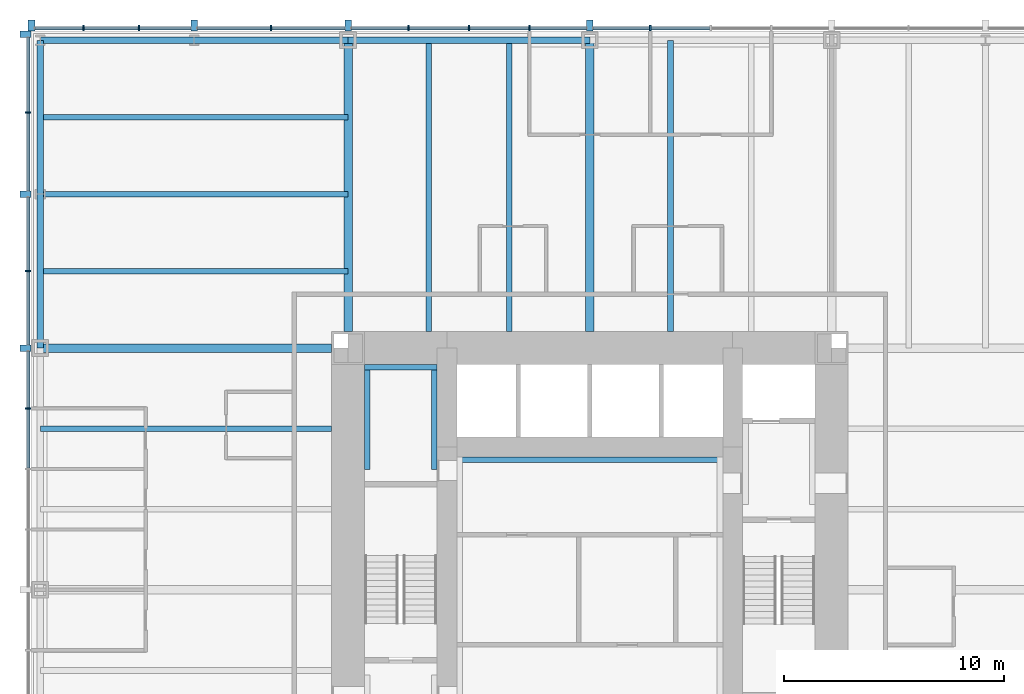
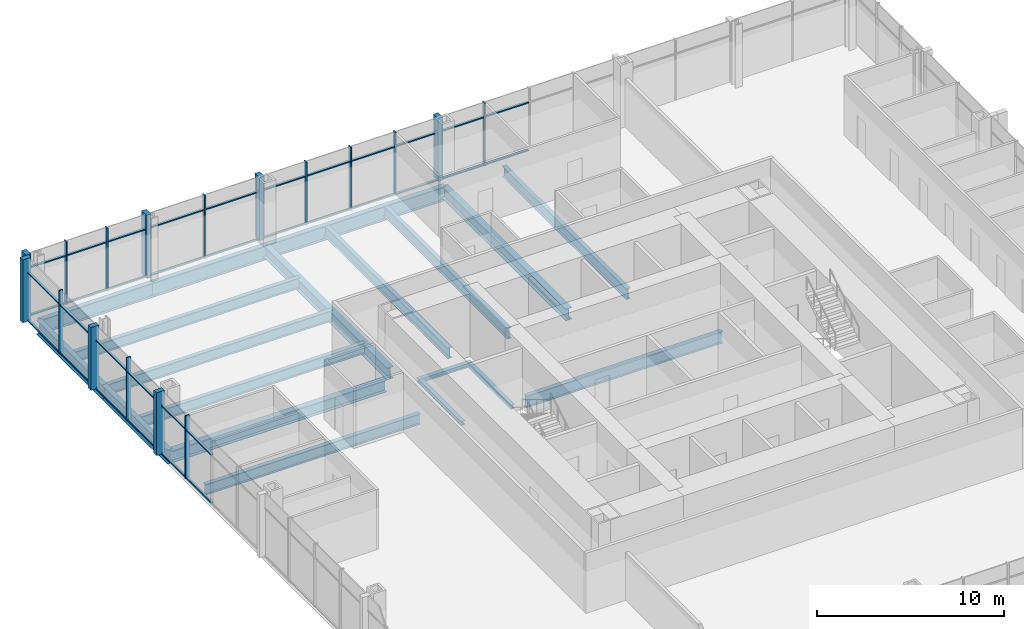
# One storey, part 5 of 12: 51 members, 19 beams, 2 elements without a shape of their own.
"""IFC4 building model written with IfcOpenShell, lengths in metres."""

from ifc_helpers import new_model, si_unit, direction, frame, origin, origin_2d, place, context, subcontext, project, spatial, rectangle, i_section, extrude, material, material_profile, profile_set, type_object, element, aggregate, save


model = new_model("IFC4")

# Units and contexts
model_context = context("Model", 3, precision=1e-05, world=origin(), true_north=direction((0.0, 1.0)))
body_context = subcontext(model_context, "Body", "Model", "MODEL_VIEW")
ifc_project = project(units=[si_unit("LENGTHUNIT", "METRE"), si_unit("AREAUNIT", "SQUARE_METRE"), si_unit("VOLUMEUNIT", "CUBIC_METRE"), si_unit("PLANEANGLEUNIT", "RADIAN"), si_unit("MASSUNIT", "GRAM", prefix="KILO")], contexts=[model_context])

# Site, building, storey
site_placement = place(None, origin())
site = spatial("IfcSite", under=ifc_project, at=site_placement, CompositionType="ELEMENT")
building_placement = place(site_placement, origin())
building = spatial("IfcBuilding", under=site, at=building_placement, Name="Trevanion Tower", CompositionType="ELEMENT")
storey_placement = place(building_placement, frame((0.0, 0.0, 52.89990234375)))
storey = spatial("IfcBuildingStorey", under=building, at=storey_placement, Name="L12", CompositionType="ELEMENT", Elevation=52.89990234375)

# Beams
ifc_material_1 = material(Name="Steel ASTM A992 Grade 50", Category="steel")
ifc_material_profile_1 = material_profile(ifc_material_1, i_section(OverallWidth=0.25390625, OverallDepth=0.700927734375, WebThickness=0.015380859375, FlangeThickness=0.02783203125, at=origin_2d()), Name="W27X129")
ifc_profile_set_1 = profile_set([ifc_material_profile_1], Name="Steel ASTM A992 Grade 50")
beam_type_1 = type_object("IfcBeamType", Name="B3 W27X129", PredefinedType="BEAM", material=ifc_profile_set_1)
for number, where, z_axis, x_axis, name in (
    (1, (3.666748046875, 11.75, -0.540283203125), (0.0, 1.0, 0.0), (-1.0, 0.0, 0.0), "B3 L12"),
    (2, (-3.666748046875, 11.75, -0.540283203125), (0.0, 1.0, 0.0), (-1.0, 0.0, 0.0), "B3 L12"),
    (3, (-7.333251953125, 11.75, -0.540283203125), (0.0, 1.0, 0.0), (-1.0, 0.0, 0.0), "B3 L12"),
    (4, (-11.75, 7.333251953125, -0.540283203125), (-1.0, 0.0, 0.0), (0.0, -1.0, 0.0), "B3 L12"),
):
    element("IfcBeam", number, at=place(storey_placement, frame(where, z_axis=z_axis, x_axis=x_axis)), inside=storey, type_object=beam_type_1, Name=name, PredefinedType="BEAM", context=body_context, shape_type="SweptSolid", body=[
        extrude(i_section(OverallWidth=0.25390625, OverallDepth=0.700927734375, WebThickness=0.015380859375, FlangeThickness=0.02783203125, at=origin_2d()), origin(), (0.0, 0.0, 1.0), 13.25),
    ])
ifc_material_2 = material(Name="Steel ASTM A992 Grade 50", Category="steel")
ifc_material_profile_2 = material_profile(ifc_material_2, i_section(OverallWidth=0.256591796875, OverallDepth=0.693359375, WebThickness=0.014404296875, FlangeThickness=0.023681640625, at=origin_2d()), Name="W27X114")
ifc_profile_set_2 = profile_set([ifc_material_profile_2], Name="Steel ASTM A992 Grade 50")
beam_type_2 = type_object("IfcBeamType", Name="B4 W27X114", PredefinedType="BEAM", material=ifc_profile_set_2)
for number, where, z_axis, x_axis, name in (
    (5, (-11.0, 14.5, -0.53662109375), (-1.0, 0.0, 0.0), (0.0, -1.0, 0.0), "B4 L12"),
    (6, (-11.0, 18.0, -0.53662109375), (-1.0, 0.0, 0.0), (0.0, -1.0, 0.0), "B4 L12"),
    (7, (-11.0, 21.5, -0.53662109375), (-1.0, 0.0, 0.0), (0.0, -1.0, 0.0), "B4 L12"),
):
    element("IfcBeam", number, at=place(storey_placement, frame(where, z_axis=z_axis, x_axis=x_axis)), inside=storey, type_object=beam_type_2, Name=name, PredefinedType="BEAM", context=body_context, shape_type="SweptSolid", body=[
        extrude(i_section(OverallWidth=0.256591796875, OverallDepth=0.693359375, WebThickness=0.014404296875, FlangeThickness=0.023681640625, at=origin_2d()), origin(), (0.0, 0.0, 1.0), 14.0),
    ])

# Curtain wall, members
ifc_material_3 = material(Name="Aluminium and glass", Category="aluminium")
curtain_wall_type = type_object("IfcCurtainWallType", Name="CW1 curtain wall", PredefinedType="USERDEFINED", material=ifc_material_3)
curtain_wall_1_placement = place(storey_placement, origin())
curtain_wall_1 = element("IfcCurtainWall", 8, at=curtain_wall_1_placement, inside=storey, type_object=curtain_wall_type, Name="CW1 L12 1", ObjectType="UNITISED CURTAIN WALL", PredefinedType="USERDEFINED")
ifc_material_4 = material(Name="Aluminium extrusion, anodised bronze", Category="aluminium")
ifc_material_profile_3 = material_profile(ifc_material_4, rectangle(XDim=0.074951171875, YDim=0.25, at=origin_2d()), Name="CW1 mullion")
ifc_profile_set_3 = profile_set([ifc_material_profile_3], Name="Aluminium extrusion, anodised bronze")
member_type_1 = type_object("IfcMemberType", Name="CW1 mullion", PredefinedType="MULLION", material=ifc_profile_set_3)
member_1_placement = place(storey_placement, frame((2.75, 25.550048828125, -0.18994140625), z_axis=(0.0, 0.0, 1.0), x_axis=(-1.0, 0.0, 0.0)))
member_1 = element("IfcMember", 9, at=member_1_placement, type_object=member_type_1, Name="CW1 mullion 8", PredefinedType="MULLION", context=body_context, shape_type="SweptSolid", body=[
    extrude(rectangle(XDim=0.074951171875, YDim=0.25, at=origin_2d()), origin(), (0.0, 0.0, 1.0), 4.10009765625),
])
member_2_placement = place(storey_placement, frame((-2.75, 25.550048828125, -0.18994140625), z_axis=(0.0, 0.0, 1.0), x_axis=(-1.0, 0.0, 0.0)))
member_2 = element("IfcMember", 10, at=member_2_placement, type_object=member_type_1, Name="CW1 mullion 10", PredefinedType="MULLION", context=body_context, shape_type="SweptSolid", body=[
    extrude(rectangle(XDim=0.074951171875, YDim=0.25, at=origin_2d()), origin(), (0.0, 0.0, 1.0), 4.10009765625),
])
member_3_placement = place(storey_placement, frame((-5.5, 25.550048828125, -0.18994140625), z_axis=(0.0, 0.0, 1.0), x_axis=(-1.0, 0.0, 0.0)))
member_3 = element("IfcMember", 11, at=member_3_placement, type_object=member_type_1, Name="CW1 mullion 11", PredefinedType="MULLION", context=body_context, shape_type="SweptSolid", body=[
    extrude(rectangle(XDim=0.074951171875, YDim=0.25, at=origin_2d()), origin(), (0.0, 0.0, 1.0), 4.10009765625),
])
member_4_placement = place(storey_placement, frame((-8.25, 25.550048828125, -0.18994140625), z_axis=(0.0, 0.0, 1.0), x_axis=(-1.0, 0.0, 0.0)))
member_4 = element("IfcMember", 12, at=member_4_placement, type_object=member_type_1, Name="CW1 mullion 12", PredefinedType="MULLION", context=body_context, shape_type="SweptSolid", body=[
    extrude(rectangle(XDim=0.074951171875, YDim=0.25, at=origin_2d()), origin(), (0.0, 0.0, 1.0), 4.10009765625),
])
member_5_placement = place(storey_placement, frame((-14.5, 25.550048828125, -0.18994140625), z_axis=(0.0, 0.0, 1.0), x_axis=(-1.0, 0.0, 0.0)))
member_5 = element("IfcMember", 13, at=member_5_placement, type_object=member_type_1, Name="CW1 mullion 14", PredefinedType="MULLION", context=body_context, shape_type="SweptSolid", body=[
    extrude(rectangle(XDim=0.074951171875, YDim=0.25, at=origin_2d()), origin(), (0.0, 0.0, 1.0), 4.10009765625),
])
member_6_placement = place(storey_placement, frame((-20.5166015625, 25.550048828125, -0.18994140625), z_axis=(0.0, 0.0, 1.0), x_axis=(-1.0, 0.0, 0.0)))
member_6 = element("IfcMember", 14, at=member_6_placement, type_object=member_type_1, Name="CW1 mullion 16", PredefinedType="MULLION", context=body_context, shape_type="SweptSolid", body=[
    extrude(rectangle(XDim=0.074951171875, YDim=0.25, at=origin_2d()), origin(), (0.0, 0.0, 1.0), 4.10009765625),
])
member_7_placement = place(storey_placement, frame((-23.033203125, 25.550048828125, -0.18994140625), z_axis=(0.0, 0.0, 1.0), x_axis=(-1.0, 0.0, 0.0)))
member_7 = element("IfcMember", 15, at=member_7_placement, type_object=member_type_1, Name="CW1 mullion 17", PredefinedType="MULLION", context=body_context, shape_type="SweptSolid", body=[
    extrude(rectangle(XDim=0.074951171875, YDim=0.25, at=origin_2d()), origin(), (0.0, 0.0, 1.0), 4.10009765625),
])

curtain_wall_2_placement = place(storey_placement, origin())
curtain_wall_2 = element("IfcCurtainWall", 16, at=curtain_wall_2_placement, inside=storey, type_object=curtain_wall_type, Name="CW1 L12 2", ObjectType="UNITISED CURTAIN WALL", PredefinedType="USERDEFINED")
member_8_placement = place(storey_placement, frame((-25.550048828125, 21.7099609375, -0.18994140625), z_axis=(0.0, 0.0, 1.0), x_axis=(0.0, -1.0, 0.0)))
member_8 = element("IfcMember", 17, at=member_8_placement, type_object=member_type_1, Name="CW1 mullion 2", PredefinedType="MULLION", context=body_context, shape_type="SweptSolid", body=[
    extrude(rectangle(XDim=0.074951171875, YDim=0.25, at=origin_2d()), origin(), (0.0, 0.0, 1.0), 4.10009765625),
])
member_9_placement = place(storey_placement, frame((-25.550048828125, 14.5, -0.18994140625), z_axis=(0.0, 0.0, 1.0), x_axis=(0.0, -1.0, 0.0)))
member_9 = element("IfcMember", 18, at=member_9_placement, type_object=member_type_1, Name="CW1 mullion 4", PredefinedType="MULLION", context=body_context, shape_type="SweptSolid", body=[
    extrude(rectangle(XDim=0.074951171875, YDim=0.25, at=origin_2d()), origin(), (0.0, 0.0, 1.0), 4.10009765625),
])
member_10_placement = place(storey_placement, frame((-25.550048828125, 8.25, -0.18994140625), z_axis=(0.0, 0.0, 1.0), x_axis=(0.0, -1.0, 0.0)))
member_10 = element("IfcMember", 19, at=member_10_placement, type_object=member_type_1, Name="CW1 mullion 6", PredefinedType="MULLION", context=body_context, shape_type="SweptSolid", body=[
    extrude(rectangle(XDim=0.074951171875, YDim=0.25, at=origin_2d()), origin(), (0.0, 0.0, 1.0), 4.10009765625),
])

# Member
ifc_material_5 = material(Name="Aluminium extrusion, anodised bronze", Category="aluminium")
ifc_material_profile_4 = material_profile(ifc_material_5, rectangle(XDim=0.300048828125, YDim=0.5, at=origin_2d()), Name="CW1 pier mullion")
ifc_profile_set_4 = profile_set([ifc_material_profile_4], Name="Aluminium extrusion, anodised bronze")
member_type_2 = type_object("IfcMemberType", Name="CW1 pier mullion", PredefinedType="MULLION", material=ifc_profile_set_4)
member_11_placement = place(storey_placement, frame((0.0, 25.675048828125, -0.18994140625), z_axis=(0.0, 0.0, 1.0), x_axis=(-1.0, 0.0, 0.0)))
member_11 = element("IfcMember", 20, at=member_11_placement, type_object=member_type_2, Name="CW1 pier mullion 9", PredefinedType="MULLION", context=body_context, shape_type="SweptSolid", body=[
    extrude(rectangle(XDim=0.300048828125, YDim=0.5, at=origin_2d()), origin(), (0.0, 0.0, 1.0), 4.10009765625),
])

member_12_placement = place(storey_placement, frame((-11.0, 25.675048828125, -0.18994140625), z_axis=(0.0, 0.0, 1.0), x_axis=(-1.0, 0.0, 0.0)))
member_12 = element("IfcMember", 21, at=member_12_placement, type_object=member_type_2, Name="CW1 pier mullion 13", PredefinedType="MULLION", context=body_context, shape_type="SweptSolid", body=[
    extrude(rectangle(XDim=0.300048828125, YDim=0.5, at=origin_2d()), origin(), (0.0, 0.0, 1.0), 4.10009765625),
])

member_13_placement = place(storey_placement, frame((-18.0, 25.675048828125, -0.18994140625), z_axis=(0.0, 0.0, 1.0), x_axis=(-1.0, 0.0, 0.0)))
member_13 = element("IfcMember", 22, at=member_13_placement, type_object=member_type_2, Name="CW1 pier mullion 15", PredefinedType="MULLION", context=body_context, shape_type="SweptSolid", body=[
    extrude(rectangle(XDim=0.300048828125, YDim=0.5, at=origin_2d()), origin(), (0.0, 0.0, 1.0), 4.10009765625),
])

member_14_placement = place(storey_placement, frame((-25.39990234375, 25.675048828125, -0.18994140625), z_axis=(0.0, 0.0, 1.0), x_axis=(-1.0, 0.0, 0.0)))
member_14 = element("IfcMember", 23, at=member_14_placement, type_object=member_type_2, Name="CW1 pier mullion 18", PredefinedType="MULLION", context=body_context, shape_type="SweptSolid", body=[
    extrude(rectangle(XDim=0.300048828125, YDim=0.5, at=origin_2d()), origin(), (0.0, 0.0, 1.0), 4.10009765625),
])

member_15_placement = place(storey_placement, frame((-25.675048828125, 25.27001953125, -0.18994140625), z_axis=(0.0, 0.0, 1.0), x_axis=(0.0, -1.0, 0.0)))
member_15 = element("IfcMember", 24, at=member_15_placement, type_object=member_type_2, Name="CW1 pier mullion 1", PredefinedType="MULLION", context=body_context, shape_type="SweptSolid", body=[
    extrude(rectangle(XDim=0.300048828125, YDim=0.5, at=origin_2d()), origin(), (0.0, 0.0, 1.0), 4.10009765625),
])

member_16_placement = place(storey_placement, frame((-25.675048828125, 18.0, -0.18994140625), z_axis=(0.0, 0.0, 1.0), x_axis=(0.0, -1.0, 0.0)))
member_16 = element("IfcMember", 25, at=member_16_placement, type_object=member_type_2, Name="CW1 pier mullion 3", PredefinedType="MULLION", context=body_context, shape_type="SweptSolid", body=[
    extrude(rectangle(XDim=0.300048828125, YDim=0.5, at=origin_2d()), origin(), (0.0, 0.0, 1.0), 4.10009765625),
])

member_17_placement = place(storey_placement, frame((-25.675048828125, 11.0, -0.18994140625), z_axis=(0.0, 0.0, 1.0), x_axis=(0.0, -1.0, 0.0)))
member_17 = element("IfcMember", 26, at=member_17_placement, type_object=member_type_2, Name="CW1 pier mullion 5", PredefinedType="MULLION", context=body_context, shape_type="SweptSolid", body=[
    extrude(rectangle(XDim=0.300048828125, YDim=0.5, at=origin_2d()), origin(), (0.0, 0.0, 1.0), 4.10009765625),
])

ifc_material_6 = material(Name="Aluminium extrusion, anodised bronze", Category="aluminium")
ifc_material_profile_5 = material_profile(ifc_material_6, rectangle(XDim=0.14990234375, YDim=0.074951171875, at=origin_2d()), Name="CW1 transom")
ifc_profile_set_5 = profile_set([ifc_material_profile_5], Name="Aluminium extrusion, anodised bronze")
member_type_3 = type_object("IfcMemberType", Name="CW1 transom", PredefinedType="USERDEFINED", material=ifc_profile_set_5)
member_18_placement = place(storey_placement, frame((5.46240234375, 25.550048828125, -0.15234375), z_axis=(-1.0, 0.0, 0.0), x_axis=(0.0, -1.0, 0.0)))
member_18 = element("IfcMember", 27, at=member_18_placement, type_object=member_type_3, Name="CW1 transom 7.1", ObjectType="TRANSOM", PredefinedType="USERDEFINED", context=body_context, shape_type="SweptSolid", body=[
    extrude(rectangle(XDim=0.14990234375, YDim=0.074951171875, at=origin_2d()), origin(), (0.0, 0.0, 1.0), 2.6748046875),
])

member_19_placement = place(storey_placement, frame((5.46240234375, 25.550048828125, 2.960205078125), z_axis=(-1.0, 0.0, 0.0), x_axis=(0.0, -1.0, 0.0)))
member_19 = element("IfcMember", 28, at=member_19_placement, type_object=member_type_3, Name="CW1 transom 7.2", ObjectType="TRANSOM", PredefinedType="USERDEFINED", context=body_context, shape_type="SweptSolid", body=[
    extrude(rectangle(XDim=0.14990234375, YDim=0.074951171875, at=origin_2d()), origin(), (0.0, 0.0, 1.0), 2.6748046875),
])

member_20_placement = place(storey_placement, frame((2.71240234375, 25.550048828125, -0.15234375), z_axis=(-1.0, 0.0, 0.0), x_axis=(0.0, -1.0, 0.0)))
member_20 = element("IfcMember", 29, at=member_20_placement, type_object=member_type_3, Name="CW1 transom 8.1", ObjectType="TRANSOM", PredefinedType="USERDEFINED", context=body_context, shape_type="SweptSolid", body=[
    extrude(rectangle(XDim=0.14990234375, YDim=0.074951171875, at=origin_2d()), origin(), (0.0, 0.0, 1.0), 2.5625),
])

member_21_placement = place(storey_placement, frame((2.71240234375, 25.550048828125, 2.960205078125), z_axis=(-1.0, 0.0, 0.0), x_axis=(0.0, -1.0, 0.0)))
member_21 = element("IfcMember", 30, at=member_21_placement, type_object=member_type_3, Name="CW1 transom 8.2", ObjectType="TRANSOM", PredefinedType="USERDEFINED", context=body_context, shape_type="SweptSolid", body=[
    extrude(rectangle(XDim=0.14990234375, YDim=0.074951171875, at=origin_2d()), origin(), (0.0, 0.0, 1.0), 2.5625),
])

member_22_placement = place(storey_placement, frame((-0.14990234375, 25.550048828125, -0.15234375), z_axis=(-1.0, 0.0, 0.0), x_axis=(0.0, -1.0, 0.0)))
member_22 = element("IfcMember", 31, at=member_22_placement, type_object=member_type_3, Name="CW1 transom 9.1", ObjectType="TRANSOM", PredefinedType="USERDEFINED", context=body_context, shape_type="SweptSolid", body=[
    extrude(rectangle(XDim=0.14990234375, YDim=0.074951171875, at=origin_2d()), origin(), (0.0, 0.0, 1.0), 2.5625),
])

member_23_placement = place(storey_placement, frame((-0.14990234375, 25.550048828125, 2.960205078125), z_axis=(-1.0, 0.0, 0.0), x_axis=(0.0, -1.0, 0.0)))
member_23 = element("IfcMember", 32, at=member_23_placement, type_object=member_type_3, Name="CW1 transom 9.2", ObjectType="TRANSOM", PredefinedType="USERDEFINED", context=body_context, shape_type="SweptSolid", body=[
    extrude(rectangle(XDim=0.14990234375, YDim=0.074951171875, at=origin_2d()), origin(), (0.0, 0.0, 1.0), 2.5625),
])

member_24_placement = place(storey_placement, frame((-2.78759765625, 25.550048828125, -0.15234375), z_axis=(-1.0, 0.0, 0.0), x_axis=(0.0, -1.0, 0.0)))
member_24 = element("IfcMember", 33, at=member_24_placement, type_object=member_type_3, Name="CW1 transom 10.1", ObjectType="TRANSOM", PredefinedType="USERDEFINED", context=body_context, shape_type="SweptSolid", body=[
    extrude(rectangle(XDim=0.14990234375, YDim=0.074951171875, at=origin_2d()), origin(), (0.0, 0.0, 1.0), 2.6748046875),
])

member_25_placement = place(storey_placement, frame((-2.78759765625, 25.550048828125, 2.960205078125), z_axis=(-1.0, 0.0, 0.0), x_axis=(0.0, -1.0, 0.0)))
member_25 = element("IfcMember", 34, at=member_25_placement, type_object=member_type_3, Name="CW1 transom 10.2", ObjectType="TRANSOM", PredefinedType="USERDEFINED", context=body_context, shape_type="SweptSolid", body=[
    extrude(rectangle(XDim=0.14990234375, YDim=0.074951171875, at=origin_2d()), origin(), (0.0, 0.0, 1.0), 2.6748046875),
])

member_26_placement = place(storey_placement, frame((-5.53759765625, 25.550048828125, -0.15234375), z_axis=(-1.0, 0.0, 0.0), x_axis=(0.0, -1.0, 0.0)))
member_26 = element("IfcMember", 35, at=member_26_placement, type_object=member_type_3, Name="CW1 transom 11.1", ObjectType="TRANSOM", PredefinedType="USERDEFINED", context=body_context, shape_type="SweptSolid", body=[
    extrude(rectangle(XDim=0.14990234375, YDim=0.074951171875, at=origin_2d()), origin(), (0.0, 0.0, 1.0), 2.6748046875),
])

member_27_placement = place(storey_placement, frame((-5.53759765625, 25.550048828125, 2.960205078125), z_axis=(-1.0, 0.0, 0.0), x_axis=(0.0, -1.0, 0.0)))
member_27 = element("IfcMember", 36, at=member_27_placement, type_object=member_type_3, Name="CW1 transom 11.2", ObjectType="TRANSOM", PredefinedType="USERDEFINED", context=body_context, shape_type="SweptSolid", body=[
    extrude(rectangle(XDim=0.14990234375, YDim=0.074951171875, at=origin_2d()), origin(), (0.0, 0.0, 1.0), 2.6748046875),
])

member_28_placement = place(storey_placement, frame((-8.28759765625, 25.550048828125, -0.15234375), z_axis=(-1.0, 0.0, 0.0), x_axis=(0.0, -1.0, 0.0)))
member_28 = element("IfcMember", 37, at=member_28_placement, type_object=member_type_3, Name="CW1 transom 12.1", ObjectType="TRANSOM", PredefinedType="USERDEFINED", context=body_context, shape_type="SweptSolid", body=[
    extrude(rectangle(XDim=0.14990234375, YDim=0.074951171875, at=origin_2d()), origin(), (0.0, 0.0, 1.0), 2.5625),
])

member_29_placement = place(storey_placement, frame((-8.28759765625, 25.550048828125, 2.960205078125), z_axis=(-1.0, 0.0, 0.0), x_axis=(0.0, -1.0, 0.0)))
member_29 = element("IfcMember", 38, at=member_29_placement, type_object=member_type_3, Name="CW1 transom 12.2", ObjectType="TRANSOM", PredefinedType="USERDEFINED", context=body_context, shape_type="SweptSolid", body=[
    extrude(rectangle(XDim=0.14990234375, YDim=0.074951171875, at=origin_2d()), origin(), (0.0, 0.0, 1.0), 2.5625),
])

member_30_placement = place(storey_placement, frame((-11.14990234375, 25.550048828125, -0.15234375), z_axis=(-1.0, 0.0, 0.0), x_axis=(0.0, -1.0, 0.0)))
member_30 = element("IfcMember", 39, at=member_30_placement, type_object=member_type_3, Name="CW1 transom 13.1", ObjectType="TRANSOM", PredefinedType="USERDEFINED", context=body_context, shape_type="SweptSolid", body=[
    extrude(rectangle(XDim=0.14990234375, YDim=0.074951171875, at=origin_2d()), origin(), (0.0, 0.0, 1.0), 3.3125),
])

member_31_placement = place(storey_placement, frame((-11.14990234375, 25.550048828125, 2.960205078125), z_axis=(-1.0, 0.0, 0.0), x_axis=(0.0, -1.0, 0.0)))
member_31 = element("IfcMember", 40, at=member_31_placement, type_object=member_type_3, Name="CW1 transom 13.2", ObjectType="TRANSOM", PredefinedType="USERDEFINED", context=body_context, shape_type="SweptSolid", body=[
    extrude(rectangle(XDim=0.14990234375, YDim=0.074951171875, at=origin_2d()), origin(), (0.0, 0.0, 1.0), 3.3125),
])

member_32_placement = place(storey_placement, frame((-14.53759765625, 25.550048828125, -0.15234375), z_axis=(-1.0, 0.0, 0.0), x_axis=(0.0, -1.0, 0.0)))
member_32 = element("IfcMember", 41, at=member_32_placement, type_object=member_type_3, Name="CW1 transom 14.1", ObjectType="TRANSOM", PredefinedType="USERDEFINED", context=body_context, shape_type="SweptSolid", body=[
    extrude(rectangle(XDim=0.14990234375, YDim=0.074951171875, at=origin_2d()), origin(), (0.0, 0.0, 1.0), 3.3125),
])

member_33_placement = place(storey_placement, frame((-14.53759765625, 25.550048828125, 2.960205078125), z_axis=(-1.0, 0.0, 0.0), x_axis=(0.0, -1.0, 0.0)))
member_33 = element("IfcMember", 42, at=member_33_placement, type_object=member_type_3, Name="CW1 transom 14.2", ObjectType="TRANSOM", PredefinedType="USERDEFINED", context=body_context, shape_type="SweptSolid", body=[
    extrude(rectangle(XDim=0.14990234375, YDim=0.074951171875, at=origin_2d()), origin(), (0.0, 0.0, 1.0), 3.3125),
])

member_34_placement = place(storey_placement, frame((-18.14990234375, 25.550048828125, -0.15234375), z_axis=(-1.0, 0.0, 0.0), x_axis=(0.0, -1.0, 0.0)))
member_34 = element("IfcMember", 43, at=member_34_placement, type_object=member_type_3, Name="CW1 transom 15.1", ObjectType="TRANSOM", PredefinedType="USERDEFINED", context=body_context, shape_type="SweptSolid", body=[
    extrude(rectangle(XDim=0.14990234375, YDim=0.074951171875, at=origin_2d()), origin(), (0.0, 0.0, 1.0), 2.329345703125),
])

member_35_placement = place(storey_placement, frame((-18.14990234375, 25.550048828125, 2.960205078125), z_axis=(-1.0, 0.0, 0.0), x_axis=(0.0, -1.0, 0.0)))
member_35 = element("IfcMember", 44, at=member_35_placement, type_object=member_type_3, Name="CW1 transom 15.2", ObjectType="TRANSOM", PredefinedType="USERDEFINED", context=body_context, shape_type="SweptSolid", body=[
    extrude(rectangle(XDim=0.14990234375, YDim=0.074951171875, at=origin_2d()), origin(), (0.0, 0.0, 1.0), 2.329345703125),
])

member_36_placement = place(storey_placement, frame((-20.55419921875, 25.550048828125, -0.15234375), z_axis=(-1.0, 0.0, 0.0), x_axis=(0.0, -1.0, 0.0)))
member_36 = element("IfcMember", 45, at=member_36_placement, type_object=member_type_3, Name="CW1 transom 16.1", ObjectType="TRANSOM", PredefinedType="USERDEFINED", context=body_context, shape_type="SweptSolid", body=[
    extrude(rectangle(XDim=0.14990234375, YDim=0.074951171875, at=origin_2d()), origin(), (0.0, 0.0, 1.0), 2.441650390625),
])

member_37_placement = place(storey_placement, frame((-20.55419921875, 25.550048828125, 2.960205078125), z_axis=(-1.0, 0.0, 0.0), x_axis=(0.0, -1.0, 0.0)))
member_37 = element("IfcMember", 46, at=member_37_placement, type_object=member_type_3, Name="CW1 transom 16.2", ObjectType="TRANSOM", PredefinedType="USERDEFINED", context=body_context, shape_type="SweptSolid", body=[
    extrude(rectangle(XDim=0.14990234375, YDim=0.074951171875, at=origin_2d()), origin(), (0.0, 0.0, 1.0), 2.441650390625),
])

member_38_placement = place(storey_placement, frame((-23.07080078125, 25.550048828125, -0.15234375), z_axis=(-1.0, 0.0, 0.0), x_axis=(0.0, -1.0, 0.0)))
member_38 = element("IfcMember", 47, at=member_38_placement, type_object=member_type_3, Name="CW1 transom 17.1", ObjectType="TRANSOM", PredefinedType="USERDEFINED", context=body_context, shape_type="SweptSolid", body=[
    extrude(rectangle(XDim=0.14990234375, YDim=0.074951171875, at=origin_2d()), origin(), (0.0, 0.0, 1.0), 2.17919921875),
])

member_39_placement = place(storey_placement, frame((-23.07080078125, 25.550048828125, 2.960205078125), z_axis=(-1.0, 0.0, 0.0), x_axis=(0.0, -1.0, 0.0)))
member_39 = element("IfcMember", 48, at=member_39_placement, type_object=member_type_3, Name="CW1 transom 17.2", ObjectType="TRANSOM", PredefinedType="USERDEFINED", context=body_context, shape_type="SweptSolid", body=[
    extrude(rectangle(XDim=0.14990234375, YDim=0.074951171875, at=origin_2d()), origin(), (0.0, 0.0, 1.0), 2.17919921875),
])

aggregate(curtain_wall_1, [member_1, member_11, member_2, member_3, member_4, member_12, member_5, member_13, member_6, member_7, member_14, member_18, member_19, member_20, member_21, member_22, member_23, member_24, member_25, member_26, member_27, member_28, member_29, member_30, member_31, member_32, member_33, member_34, member_35, member_36, member_37, member_38, member_39])

member_40_placement = place(storey_placement, frame((-25.550048828125, 25.1201171875, -0.15234375), z_axis=(0.0, -1.0, 0.0), x_axis=(1.0, 0.0, 0.0)))
member_40 = element("IfcMember", 49, at=member_40_placement, type_object=member_type_3, Name="CW1 transom 1.1", ObjectType="TRANSOM", PredefinedType="USERDEFINED", context=body_context, shape_type="SweptSolid", body=[
    extrude(rectangle(XDim=0.14990234375, YDim=0.074951171875, at=origin_2d()), origin(), (0.0, 0.0, 1.0), 3.37255859375),
])

member_41_placement = place(storey_placement, frame((-25.550048828125, 25.1201171875, 2.960205078125), z_axis=(0.0, -1.0, 0.0), x_axis=(1.0, 0.0, 0.0)))
member_41 = element("IfcMember", 50, at=member_41_placement, type_object=member_type_3, Name="CW1 transom 1.2", ObjectType="TRANSOM", PredefinedType="USERDEFINED", context=body_context, shape_type="SweptSolid", body=[
    extrude(rectangle(XDim=0.14990234375, YDim=0.074951171875, at=origin_2d()), origin(), (0.0, 0.0, 1.0), 3.37255859375),
])

member_42_placement = place(storey_placement, frame((-25.550048828125, 21.672607421875, -0.15234375), z_axis=(0.0, -1.0, 0.0), x_axis=(1.0, 0.0, 0.0)))
member_42 = element("IfcMember", 51, at=member_42_placement, type_object=member_type_3, Name="CW1 transom 2.1", ObjectType="TRANSOM", PredefinedType="USERDEFINED", context=body_context, shape_type="SweptSolid", body=[
    extrude(rectangle(XDim=0.14990234375, YDim=0.074951171875, at=origin_2d()), origin(), (0.0, 0.0, 1.0), 3.522705078125),
])

member_43_placement = place(storey_placement, frame((-25.550048828125, 21.672607421875, 2.960205078125), z_axis=(0.0, -1.0, 0.0), x_axis=(1.0, 0.0, 0.0)))
member_43 = element("IfcMember", 52, at=member_43_placement, type_object=member_type_3, Name="CW1 transom 2.2", ObjectType="TRANSOM", PredefinedType="USERDEFINED", context=body_context, shape_type="SweptSolid", body=[
    extrude(rectangle(XDim=0.14990234375, YDim=0.074951171875, at=origin_2d()), origin(), (0.0, 0.0, 1.0), 3.522705078125),
])

member_44_placement = place(storey_placement, frame((-25.550048828125, 17.85009765625, -0.15234375), z_axis=(0.0, -1.0, 0.0), x_axis=(1.0, 0.0, 0.0)))
member_44 = element("IfcMember", 53, at=member_44_placement, type_object=member_type_3, Name="CW1 transom 3.1", ObjectType="TRANSOM", PredefinedType="USERDEFINED", context=body_context, shape_type="SweptSolid", body=[
    extrude(rectangle(XDim=0.14990234375, YDim=0.074951171875, at=origin_2d()), origin(), (0.0, 0.0, 1.0), 3.3125),
])

member_45_placement = place(storey_placement, frame((-25.550048828125, 17.85009765625, 2.960205078125), z_axis=(0.0, -1.0, 0.0), x_axis=(1.0, 0.0, 0.0)))
member_45 = element("IfcMember", 54, at=member_45_placement, type_object=member_type_3, Name="CW1 transom 3.2", ObjectType="TRANSOM", PredefinedType="USERDEFINED", context=body_context, shape_type="SweptSolid", body=[
    extrude(rectangle(XDim=0.14990234375, YDim=0.074951171875, at=origin_2d()), origin(), (0.0, 0.0, 1.0), 3.3125),
])

member_46_placement = place(storey_placement, frame((-25.550048828125, 14.46240234375, -0.15234375), z_axis=(0.0, -1.0, 0.0), x_axis=(1.0, 0.0, 0.0)))
member_46 = element("IfcMember", 55, at=member_46_placement, type_object=member_type_3, Name="CW1 transom 4.1", ObjectType="TRANSOM", PredefinedType="USERDEFINED", context=body_context, shape_type="SweptSolid", body=[
    extrude(rectangle(XDim=0.14990234375, YDim=0.074951171875, at=origin_2d()), origin(), (0.0, 0.0, 1.0), 3.3125),
])

member_47_placement = place(storey_placement, frame((-25.550048828125, 14.46240234375, 2.960205078125), z_axis=(0.0, -1.0, 0.0), x_axis=(1.0, 0.0, 0.0)))
member_47 = element("IfcMember", 56, at=member_47_placement, type_object=member_type_3, Name="CW1 transom 4.2", ObjectType="TRANSOM", PredefinedType="USERDEFINED", context=body_context, shape_type="SweptSolid", body=[
    extrude(rectangle(XDim=0.14990234375, YDim=0.074951171875, at=origin_2d()), origin(), (0.0, 0.0, 1.0), 3.3125),
])

member_48_placement = place(storey_placement, frame((-25.550048828125, 10.85009765625, -0.15234375), z_axis=(0.0, -1.0, 0.0), x_axis=(1.0, 0.0, 0.0)))
member_48 = element("IfcMember", 57, at=member_48_placement, type_object=member_type_3, Name="CW1 transom 5.1", ObjectType="TRANSOM", PredefinedType="USERDEFINED", context=body_context, shape_type="SweptSolid", body=[
    extrude(rectangle(XDim=0.14990234375, YDim=0.074951171875, at=origin_2d()), origin(), (0.0, 0.0, 1.0), 2.5625),
])

member_49_placement = place(storey_placement, frame((-25.550048828125, 10.85009765625, 2.960205078125), z_axis=(0.0, -1.0, 0.0), x_axis=(1.0, 0.0, 0.0)))
member_49 = element("IfcMember", 58, at=member_49_placement, type_object=member_type_3, Name="CW1 transom 5.2", ObjectType="TRANSOM", PredefinedType="USERDEFINED", context=body_context, shape_type="SweptSolid", body=[
    extrude(rectangle(XDim=0.14990234375, YDim=0.074951171875, at=origin_2d()), origin(), (0.0, 0.0, 1.0), 2.5625),
])

member_50_placement = place(storey_placement, frame((-25.550048828125, 8.21240234375, -0.15234375), z_axis=(0.0, -1.0, 0.0), x_axis=(1.0, 0.0, 0.0)))
member_50 = element("IfcMember", 59, at=member_50_placement, type_object=member_type_3, Name="CW1 transom 6.1", ObjectType="TRANSOM", PredefinedType="USERDEFINED", context=body_context, shape_type="SweptSolid", body=[
    extrude(rectangle(XDim=0.14990234375, YDim=0.074951171875, at=origin_2d()), origin(), (0.0, 0.0, 1.0), 2.6748046875),
])

member_51_placement = place(storey_placement, frame((-25.550048828125, 8.21240234375, 2.960205078125), z_axis=(0.0, -1.0, 0.0), x_axis=(1.0, 0.0, 0.0)))
member_51 = element("IfcMember", 60, at=member_51_placement, type_object=member_type_3, Name="CW1 transom 6.2", ObjectType="TRANSOM", PredefinedType="USERDEFINED", context=body_context, shape_type="SweptSolid", body=[
    extrude(rectangle(XDim=0.14990234375, YDim=0.074951171875, at=origin_2d()), origin(), (0.0, 0.0, 1.0), 2.6748046875),
])

aggregate(curtain_wall_2, [member_15, member_8, member_16, member_9, member_17, member_10, member_40, member_41, member_42, member_43, member_44, member_45, member_46, member_47, member_48, member_49, member_50, member_51])

# Beams
ifc_material_7 = material(Name="Steel ASTM A992 Grade 50", Category="steel")
ifc_material_profile_6 = material_profile(ifc_material_7, i_section(OverallWidth=0.381103515625, OverallDepth=0.77978515625, WebThickness=0.01806640625, FlangeThickness=0.0302734375, at=origin_2d()), Name="W30X191")
ifc_profile_set_6 = profile_set([ifc_material_profile_6], Name="Steel ASTM A992 Grade 50")
beam_type_3 = type_object("IfcBeamType", Name="G2 W30X191", PredefinedType="BEAM", material=ifc_profile_set_6)
for number, where, z_axis, x_axis, name in (
    (61, (0.0, 11.75, -0.579833984375), (0.0, 1.0, 0.0), (-1.0, 0.0, 0.0), "G2 L12"),
    (62, (-11.0, 11.75, -0.579833984375), (0.0, 1.0, 0.0), (-1.0, 0.0, 0.0), "G2 L12"),
    (63, (-11.75, 11.0, -0.579833984375), (-1.0, 0.0, 0.0), (0.0, -1.0, 0.0), "G2 L12"),
):
    element("IfcBeam", number, at=place(storey_placement, frame(where, z_axis=z_axis, x_axis=x_axis)), inside=storey, type_object=beam_type_3, Name=name, PredefinedType="BEAM", context=body_context, shape_type="SweptSolid", body=[
        extrude(i_section(OverallWidth=0.381103515625, OverallDepth=0.77978515625, WebThickness=0.01806640625, FlangeThickness=0.0302734375, at=origin_2d()), origin(), (0.0, 0.0, 1.0), 13.25),
    ])
ifc_material_8 = material(Name="Steel ASTM A992 Grade 50", Category="steel")
ifc_material_profile_7 = material_profile(ifc_material_8, i_section(OverallWidth=0.256591796875, OverallDepth=0.26416015625, WebThickness=0.011962890625, FlangeThickness=0.01953125, at=origin_2d()), Name="W10X68")
ifc_profile_set_7 = profile_set([ifc_material_profile_7], Name="Steel ASTM A992 Grade 50")
beam_type_4 = type_object("IfcBeamType", Name="LB1 W10X68", PredefinedType="BEAM", material=ifc_profile_set_7)
for number, where, z_axis, x_axis, name in (
    (64, (-10.12158203125, 5.47509765625, -0.33203125), (0.0, 1.0, 0.0), (-1.0, 0.0, 0.0), "LB1 L12"),
    (65, (-7.078369140625, 5.47509765625, -0.33203125), (0.0, 1.0, 0.0), (-1.0, 0.0, 0.0), "LB1 L12"),
):
    element("IfcBeam", number, at=place(storey_placement, frame(where, z_axis=z_axis, x_axis=x_axis)), inside=storey, type_object=beam_type_4, Name=name, PredefinedType="BEAM", context=body_context, shape_type="SweptSolid", body=[
        extrude(i_section(OverallWidth=0.256591796875, OverallDepth=0.26416015625, WebThickness=0.011962890625, FlangeThickness=0.01953125, at=origin_2d()), origin(), (0.0, 0.0, 1.0), 4.77490234375),
    ])
beam_1_placement = place(storey_placement, frame((-10.25, 10.12158203125, -0.33203125), z_axis=(1.0, 0.0, 0.0), x_axis=(0.0, 1.0, 0.0)))
element("IfcBeam", 66, at=beam_1_placement, inside=storey, type_object=beam_type_4, Name="LB1 L12", PredefinedType="BEAM", context=body_context, shape_type="SweptSolid", body=[
    extrude(i_section(OverallWidth=0.256591796875, OverallDepth=0.26416015625, WebThickness=0.011962890625, FlangeThickness=0.01953125, at=origin_2d()), origin(), (0.0, 0.0, 1.0), 3.300048828125),
])
ifc_material_9 = material(Name="Steel ASTM A992 Grade 50", Category="steel")
ifc_material_profile_8 = material_profile(ifc_material_9, i_section(OverallWidth=0.2666015625, OverallDepth=0.76953125, WebThickness=0.015625, FlangeThickness=0.025390625, at=origin_2d()), Name="W30X132")
ifc_profile_set_8 = profile_set([ifc_material_profile_8], Name="Steel ASTM A992 Grade 50")
beam_type_5 = type_object("IfcBeamType", Name="LB3 W30X132", PredefinedType="BEAM", material=ifc_profile_set_8)
beam_2_placement = place(storey_placement, frame((-6.050048828125, 5.91650390625, -0.584716796875), z_axis=(1.0, 0.0, 0.0), x_axis=(0.0, 1.0, 0.0)))
element("IfcBeam", 67, at=beam_2_placement, inside=storey, type_object=beam_type_5, Name="LB3 L12", PredefinedType="BEAM", context=body_context, shape_type="SweptSolid", body=[
    extrude(i_section(OverallWidth=0.2666015625, OverallDepth=0.76953125, WebThickness=0.015625, FlangeThickness=0.025390625, at=origin_2d()), origin(), (0.0, 0.0, 1.0), 12.10009765625),
])
ifc_material_10 = material(Name="Steel ASTM A992 Grade 50", Category="steel")
ifc_material_profile_9 = material_profile(ifc_material_10, i_section(OverallWidth=0.307373046875, OverallDepth=0.927001953125, WebThickness=0.01953125, FlangeThickness=0.031982421875, at=origin_2d()), Name="W36X194")
ifc_profile_set_9 = profile_set([ifc_material_profile_9], Name="Steel ASTM A992 Grade 50")
beam_type_6 = type_object("IfcBeamType", Name="SB2 W36X194", PredefinedType="SPANDREL", material=ifc_profile_set_9)
beam_3_placement = place(storey_placement, frame((0.0, 25.0, -0.6533203125), z_axis=(-1.0, 0.0, 0.0), x_axis=(0.0, -1.0, 0.0)))
element("IfcBeam", 68, at=beam_3_placement, inside=storey, type_object=beam_type_6, Name="SB2 L12", PredefinedType="SPANDREL", context=body_context, shape_type="SweptSolid", body=[
    extrude(i_section(OverallWidth=0.307373046875, OverallDepth=0.927001953125, WebThickness=0.01953125, FlangeThickness=0.031982421875, at=origin_2d()), origin(), (0.0, 0.0, 1.0), 11.0),
])
for number, where, z_axis, x_axis, name in (
    (69, (-11.0, 25.0, -0.6533203125), (-1.0, 0.0, 0.0), (0.0, -1.0, 0.0), "SB2 L12"),
    (70, (-18.0, 25.0, -0.6533203125), (-1.0, 0.0, 0.0), (0.0, -1.0, 0.0), "SB2 L12"),
    (71, (-25.0, 25.0, -0.6533203125), (0.0, -1.0, 0.0), (1.0, 0.0, 0.0), "SB2 L12"),
    (72, (-25.0, 18.0, -0.6533203125), (0.0, -1.0, 0.0), (1.0, 0.0, 0.0), "SB2 L12"),
):
    element("IfcBeam", number, at=place(storey_placement, frame(where, z_axis=z_axis, x_axis=x_axis)), inside=storey, type_object=beam_type_6, Name=name, PredefinedType="SPANDREL", context=body_context, shape_type="SweptSolid", body=[
        extrude(i_section(OverallWidth=0.307373046875, OverallDepth=0.927001953125, WebThickness=0.01953125, FlangeThickness=0.031982421875, at=origin_2d()), origin(), (0.0, 0.0, 1.0), 7.0),
    ])

save(model, "model.ifc")
